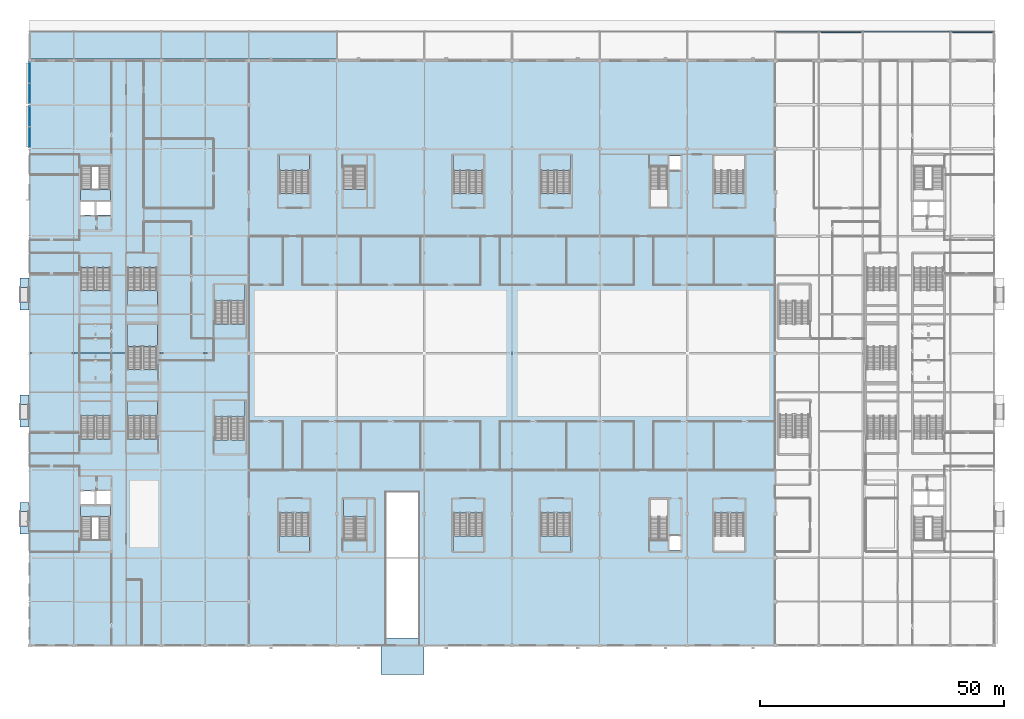
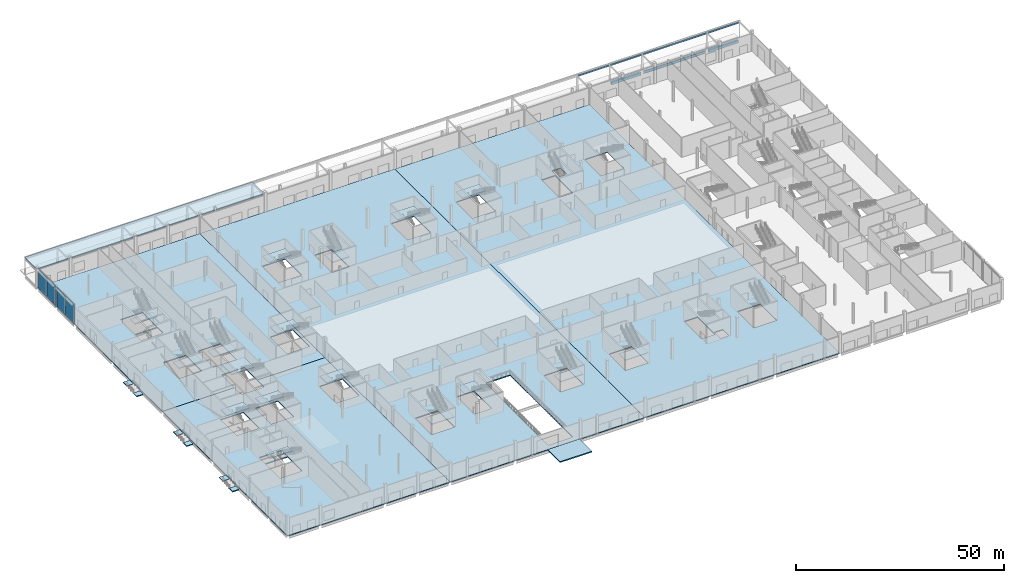
# One storey, part 27 of 84: 29 slabs, 7 beams, 4 plates, 22 elements without a shape of their own.
"""IFC4 building model written with IfcOpenShell, lengths in metres."""

from ifc_helpers import new_model, si_unit, direction, frame, origin, origin_2d, place, context, subcontext, project, spatial, polyline, rectangle, i_section, outline, extrude, material, layer, layer_set, material_profile, profile_set, type_object, element, aggregate, save


model = new_model("IFC4")

# Units and contexts
model_context = context("Model", 3, precision=1e-05, world=origin(), true_north=direction((0.0, 1.0)))
body_context = subcontext(model_context, "Body", "Model", "MODEL_VIEW")
ifc_project = project(units=[si_unit("LENGTHUNIT", "METRE"), si_unit("AREAUNIT", "SQUARE_METRE"), si_unit("VOLUMEUNIT", "CUBIC_METRE"), si_unit("PLANEANGLEUNIT", "RADIAN"), si_unit("MASSUNIT", "GRAM", prefix="KILO")], contexts=[model_context])

# Site, building, storey
site_placement = place(None, origin())
site = spatial("IfcSite", under=ifc_project, at=site_placement, CompositionType="ELEMENT")
building_placement = place(site_placement, origin())
building = spatial("IfcBuilding", under=site, at=building_placement, Name="Kisiwana Market Hall", CompositionType="ELEMENT")
storey_placement = place(building_placement, origin())
storey = spatial("IfcBuildingStorey", under=building, at=storey_placement, Name="L00", CompositionType="ELEMENT", Elevation=0.0)

# Beams
ifc_material_1 = material(Name="Steel S355", Category="steel")
ifc_material_profile_1 = material_profile(ifc_material_1, i_section(OverallWidth=0.19140625, OverallDepth=0.4599609375, WebThickness=0.010009765625, FlangeThickness=0.01611328125, at=origin_2d()), Name="UB 457x191x82")
ifc_profile_set_1 = profile_set([ifc_material_profile_1], Name="Steel S355")
beam_type_1 = type_object("IfcBeamType", Name="BM-GIRD-UB457H", PredefinedType="BEAM", material=ifc_profile_set_1)
for number, where, z_axis, x_axis, name in (
    (1, (153.157958984375, 126.0, 4.677978515625), (1.0, 0.0, 0.0), (0.0, 1.0, 0.0), "Roof girder B-0308"),
    (2, (162.157958984375, 126.0, 4.677978515625), (1.0, 0.0, 0.0), (0.0, 1.0, 0.0), "Roof girder B-0309"),
):
    element("IfcBeam", number, at=place(storey_placement, frame(where, z_axis=z_axis, x_axis=x_axis)), inside=storey, type_object=beam_type_1, Name=name, PredefinedType="BEAM", context=body_context, shape_type="SweptSolid", body=[
        extrude(i_section(OverallWidth=0.19140625, OverallDepth=0.4599609375, WebThickness=0.010009765625, FlangeThickness=0.01611328125, at=origin_2d()), origin(), (0.0, 0.0, 1.0), 8.68408203125),
    ])
beam_1_placement = place(storey_placement, frame((171.157958984375, 126.0, 4.677978515625), z_axis=(1.0, 0.0, 0.0), x_axis=(0.0, 1.0, 0.0)))
element("IfcBeam", 3, at=beam_1_placement, inside=storey, type_object=beam_type_1, Name="Roof girder B-0310", PredefinedType="BEAM", context=body_context, shape_type="SweptSolid", body=[
    extrude(i_section(OverallWidth=0.19140625, OverallDepth=0.4599609375, WebThickness=0.010009765625, FlangeThickness=0.01611328125, at=origin_2d()), origin(), (0.0, 0.0, 1.0), 17.68408203125),
])
beam_2_placement = place(storey_placement, frame((189.157958984375, 126.0, 4.677978515625), z_axis=(1.0, 0.0, 0.0), x_axis=(0.0, 1.0, 0.0)))
element("IfcBeam", 4, at=beam_2_placement, inside=storey, type_object=beam_type_1, Name="Roof girder B-0311", PredefinedType="BEAM", context=body_context, shape_type="SweptSolid", body=[
    extrude(i_section(OverallWidth=0.19140625, OverallDepth=0.4599609375, WebThickness=0.010009765625, FlangeThickness=0.01611328125, at=origin_2d()), origin(), (0.0, 0.0, 1.0), 8.68408203125),
])
ifc_material_2 = material(Name="Steel S355", Category="steel")
ifc_material_profile_2 = material_profile(ifc_material_2, i_section(OverallWidth=0.2666015625, OverallDepth=0.76220703125, WebThickness=0.014404296875, FlangeThickness=0.021484375, at=origin_2d()), Name="UB 762x267x173")
ifc_profile_set_2 = profile_set([ifc_material_profile_2], Name="Steel S355")
beam_type_2 = type_object("IfcBeamType", Name="BM-GIRD-UB762", PredefinedType="BEAM", material=ifc_profile_set_2)
beam_3_placement = place(storey_placement, frame((171.39599609375, 126.0, -0.68115234375), z_axis=(1.0, 0.0, 0.0), x_axis=(0.0, 1.0, 0.0)))
element("IfcBeam", 5, at=beam_3_placement, inside=storey, type_object=beam_type_2, Name="Floor beam B-0271", PredefinedType="BEAM", context=body_context, shape_type="SweptSolid", body=[
    extrude(i_section(OverallWidth=0.2666015625, OverallDepth=0.76220703125, WebThickness=0.014404296875, FlangeThickness=0.021484375, at=origin_2d()), origin(), (0.0, 0.0, 1.0), 17.2080078125),
])
ifc_material_3 = material(Name="Concrete C40/50", Category="concrete")
ifc_material_profile_3 = material_profile(ifc_material_3, rectangle(XDim=0.5, YDim=0.800048828125, at=origin_2d()), Name="RC 500x800")
ifc_profile_set_3 = profile_set([ifc_material_profile_3], Name="Concrete C40/50")
beam_type_3 = type_object("IfcBeamType", Name="BM-RC-B1-500x800", PredefinedType="BEAM", material=ifc_profile_set_3)
for number, where, z_axis, x_axis, name in (
    (6, (162.39599609375, 126.0, -0.699951171875), (1.0, 0.0, 0.0), (0.0, 1.0, 0.0), "Floor beam B-0270"),
    (7, (189.39599609375, 126.0, -0.699951171875), (1.0, 0.0, 0.0), (0.0, 1.0, 0.0), "Floor beam B-0272"),
):
    element("IfcBeam", number, at=place(storey_placement, frame(where, z_axis=z_axis, x_axis=x_axis)), inside=storey, type_object=beam_type_3, Name=name, PredefinedType="BEAM", context=body_context, shape_type="SweptSolid", body=[
        extrude(rectangle(XDim=0.5, YDim=0.800048828125, at=origin_2d()), origin(), (0.0, 0.0, 1.0), 8.2080078125),
    ])

# Curtain wall, plates
ifc_material_4 = material(Name="Double-glazed solar-control low-E IGU", Category="glass")
ifc_layer_1 = layer(ifc_material_4, 0.159912109375)
ifc_layer_set_1 = layer_set([ifc_layer_1], Name="CW-FOY-W-6800")
curtain_wall_type = type_object("IfcCurtainWallType", Name="CW-FOY-W-6800", PredefinedType="USERDEFINED", material=ifc_layer_set_1)
curtain_wall_1_placement = place(storey_placement, origin())
curtain_wall_1 = element("IfcCurtainWall", 8, at=curtain_wall_1_placement, inside=storey, type_object=curtain_wall_type, Name="Unitised curtain wall CW-001 (L00)", ObjectType="UNITISED CURTAIN WALL", PredefinedType="USERDEFINED")
ifc_material_5 = material(Name="Double-glazed solar-control low-E IGU", Category="glass")
ifc_layer_2 = layer(ifc_material_5, 0.02392578125)
ifc_layer_set_2 = layer_set([ifc_layer_2], Name="PL-IGU-24")
plate_type_1 = type_object("IfcPlateType", Name="PL-IGU-24", PredefinedType="CURTAIN_PANEL", material=ifc_layer_set_2)
plate_1_placement = place(storey_placement, frame((0.0, 104.37744140625, 0.06005859375), z_axis=(0.0, 0.0, 1.0), x_axis=(0.0, 1.0, 0.0)))
plate_1 = element("IfcPlate", 9, at=plate_1_placement, type_object=plate_type_1, Name="CW-001 panel 1.1", PredefinedType="CURTAIN_PANEL", context=body_context, shape_type="SweptSolid", body=[
    extrude(rectangle(XDim=4.19970703125, YDim=0.02392578125, at=origin_2d()), origin(), (0.0, 0.0, 1.0), 5.6298828125),
])
plate_2_placement = place(storey_placement, frame((0.0, 108.636962890625, 0.06005859375), z_axis=(0.0, 0.0, 1.0), x_axis=(0.0, 1.0, 0.0)))
plate_2 = element("IfcPlate", 10, at=plate_2_placement, type_object=plate_type_1, Name="CW-001 panel 2.1", PredefinedType="CURTAIN_PANEL", context=body_context, shape_type="SweptSolid", body=[
    extrude(rectangle(XDim=4.19970703125, YDim=0.02392578125, at=origin_2d()), origin(), (0.0, 0.0, 1.0), 5.6298828125),
])
aggregate(curtain_wall_1, [plate_1, plate_2])

curtain_wall_2_placement = place(storey_placement, origin())
curtain_wall_2 = element("IfcCurtainWall", 11, at=curtain_wall_2_placement, inside=storey, type_object=curtain_wall_type, Name="Unitised curtain wall CW-002 (L00)", ObjectType="UNITISED CURTAIN WALL", PredefinedType="USERDEFINED")
ifc_material_6 = material(Name="Double-glazed acoustic laminated IGU", Category="glass")
ifc_layer_3 = layer(ifc_material_6, 0.028076171875)
ifc_layer_set_3 = layer_set([ifc_layer_3], Name="PL-IGU-28")
plate_type_2 = type_object("IfcPlateType", Name="PL-IGU-28", PredefinedType="CURTAIN_PANEL", material=ifc_layer_set_3)
plate_3_placement = place(storey_placement, frame((0.0, 113.329833984375, 0.06005859375), z_axis=(0.0, 0.0, 1.0), x_axis=(0.0, 1.0, 0.0)))
plate_3 = element("IfcPlate", 12, at=plate_3_placement, type_object=plate_type_2, Name="CW-002 panel 1.1", PredefinedType="CURTAIN_PANEL", context=body_context, shape_type="SweptSolid", body=[
    extrude(rectangle(XDim=4.13330078125, YDim=0.028076171875, at=origin_2d()), origin(), (0.0, 0.0, 1.0), 5.6298828125),
])
plate_4_placement = place(storey_placement, frame((0.0, 117.523193359375, 0.06005859375), z_axis=(0.0, 0.0, 1.0), x_axis=(0.0, 1.0, 0.0)))
plate_4 = element("IfcPlate", 13, at=plate_4_placement, type_object=plate_type_2, Name="CW-002 panel 2.1", PredefinedType="CURTAIN_PANEL", context=body_context, shape_type="SweptSolid", body=[
    extrude(rectangle(XDim=4.13330078125, YDim=0.028076171875, at=origin_2d()), origin(), (0.0, 0.0, 1.0), 5.6298828125),
])
aggregate(curtain_wall_2, [plate_3, plate_4])

# Slabs
ifc_material_7 = material(Name="Concrete C32/40", Category="concrete")
ifc_layer_4 = layer(ifc_material_7, 0.260009765625)
ifc_layer_set_4 = layer_set([ifc_layer_4], Name="SL-L00-MKT-260")
slab_type_1 = type_object("IfcSlabType", Name="SL-L00-MKT-260", PredefinedType="FLOOR", material=ifc_layer_set_4)
slab_1_placement = place(storey_placement, frame((0.0, 0.0, -0.260009765625)))
element("IfcSlab", 14, at=slab_1_placement, inside=storey, type_object=slab_type_1, Name="Structural slab S-054", PredefinedType="FLOOR", context=body_context, shape_type="SweptSolid", body=[
    extrude(outline(polyline([(0.0, 0.0), (45.0, 0.0), (45.0, 60.0), (26.239990234375, 60.0), (26.239990234375, 56.659912109375), (19.9599609375, 56.659912109375), (19.9599609375, 60.0), (0.0, 60.0), (0.0, 0.0)]), holes=[polyline([(10.425048828125, 21.675048828125), (16.574951171875, 21.675048828125), (16.574951171875, 28.625), (10.425048828125, 28.625), (10.425048828125, 21.675048828125)]), polyline([(10.425048828125, 28.945068359375), (13.340087890625, 28.945068359375), (13.340087890625, 31.675048828125), (10.425048828125, 31.675048828125), (10.425048828125, 28.945068359375)]), polyline([(13.659912109375, 28.945068359375), (16.574951171875, 28.945068359375), (16.574951171875, 31.675048828125), (13.659912109375, 31.675048828125), (13.659912109375, 28.945068359375)]), polyline([(10.360107421875, 42.3798828125), (16.639892578125, 42.3798828125), (16.639892578125, 50.0400390625), (10.360107421875, 50.0400390625), (10.360107421875, 42.3798828125)]), polyline([(19.9599609375, 42.3798828125), (26.239990234375, 42.3798828125), (26.239990234375, 50.0400390625), (19.9599609375, 50.0400390625), (19.9599609375, 42.3798828125)]), polyline([(37.929931640625, 42.179931640625), (44.2099609375, 42.179931640625), (44.2099609375, 50.239990234375), (37.929931640625, 50.239990234375), (37.929931640625, 42.179931640625)])]), origin(), (0.0, 0.0, 1.0), 0.260009765625),
])
slab_2_placement = place(storey_placement, frame((0.0, 0.0, -0.260009765625)))
element("IfcSlab", 15, at=slab_2_placement, inside=storey, type_object=slab_type_1, Name="Structural slab S-055", PredefinedType="FLOOR", context=body_context, shape_type="SweptSolid", body=[
    extrude(outline(polyline([(0.0, 60.0), (19.9599609375, 60.0), (19.9599609375, 66.159912109375), (26.239990234375, 66.159912109375), (26.239990234375, 60.0), (45.0, 60.0), (45.0, 120.0), (0.0, 120.0), (0.0, 60.0)]), holes=[polyline([(10.425048828125, 91.375), (16.574951171875, 91.375), (16.574951171875, 98.324951171875), (10.425048828125, 98.324951171875), (10.425048828125, 91.375)]), polyline([(10.425048828125, 88.324951171875), (13.340087890625, 88.324951171875), (13.340087890625, 91.054931640625), (10.425048828125, 91.054931640625), (10.425048828125, 88.324951171875)]), polyline([(13.659912109375, 88.324951171875), (16.574951171875, 88.324951171875), (16.574951171875, 91.054931640625), (13.659912109375, 91.054931640625), (13.659912109375, 88.324951171875)]), polyline([(10.360107421875, 69.9599609375), (16.639892578125, 69.9599609375), (16.639892578125, 77.6201171875), (10.360107421875, 77.6201171875), (10.360107421875, 69.9599609375)]), polyline([(19.9599609375, 69.9599609375), (26.239990234375, 69.9599609375), (26.239990234375, 77.6201171875), (19.9599609375, 77.6201171875), (19.9599609375, 69.9599609375)]), polyline([(37.929931640625, 65.97998046875), (44.2099609375, 65.97998046875), (44.2099609375, 74.0400390625), (37.929931640625, 74.0400390625), (37.929931640625, 65.97998046875)])]), origin(), (0.0, 0.0, 1.0), 0.260009765625),
])
slab_3_placement = place(storey_placement, frame((0.0, 0.0, -0.260009765625)))
element("IfcSlab", 16, at=slab_3_placement, inside=storey, type_object=slab_type_1, Name="Structural slab S-056", PredefinedType="FLOOR", context=body_context, shape_type="SweptSolid", body=[
    extrude(outline(polyline([(45.0, 0.0), (99.0, 0.0), (99.0, 120.0), (45.0, 120.0), (45.0, 0.0)]), holes=[polyline([(64.3798828125, 21.6298828125), (69.080078125, 21.6298828125), (69.080078125, 30.02001953125), (64.3798828125, 30.02001953125), (64.3798828125, 21.6298828125)]), polyline([(64.360107421875, 89.9599609375), (69.06005859375, 89.9599609375), (69.06005859375, 98.389892578125), (64.360107421875, 98.389892578125), (64.360107421875, 89.9599609375)]), polyline([(51.159912109375, 19.360107421875), (57.43994140625, 19.360107421875), (57.43994140625, 27.219970703125), (51.159912109375, 27.219970703125), (51.159912109375, 19.360107421875)]), polyline([(51.159912109375, 92.780029296875), (57.43994140625, 92.780029296875), (57.43994140625, 100.639892578125), (51.159912109375, 100.639892578125), (51.159912109375, 92.780029296875)]), polyline([(86.860107421875, 19.360107421875), (93.139892578125, 19.360107421875), (93.139892578125, 27.219970703125), (86.860107421875, 27.219970703125), (86.860107421875, 19.360107421875)]), polyline([(86.860107421875, 92.780029296875), (93.139892578125, 92.780029296875), (93.139892578125, 100.639892578125), (86.860107421875, 100.639892578125), (86.860107421875, 92.780029296875)]), polyline([(73.10009765625, 1.5), (79.89990234375, 1.5), (79.89990234375, 31.5), (73.10009765625, 31.5), (73.10009765625, 1.5)])]), origin(), (0.0, 0.0, 1.0), 0.260009765625),
])
slab_4_placement = place(storey_placement, frame((0.0, 0.0, -0.260009765625)))
element("IfcSlab", 17, at=slab_4_placement, inside=storey, type_object=slab_type_1, Name="Structural slab S-057", PredefinedType="FLOOR", context=body_context, shape_type="SweptSolid", body=[
    extrude(outline(polyline([(99.0, 0.0), (153.0, 0.0), (153.0, 120.0), (99.0, 120.0), (99.0, 0.0)]), holes=[polyline([(127.3798828125, 21.6298828125), (130.97998046875, 21.6298828125), (130.97998046875, 30.02001953125), (127.3798828125, 30.02001953125), (127.3798828125, 21.6298828125)]), polyline([(131.300048828125, 19.580078125), (133.6201171875, 19.580078125), (133.6201171875, 22.47998046875), (131.300048828125, 22.47998046875), (131.300048828125, 19.580078125)]), polyline([(127.360107421875, 89.9599609375), (130.9599609375, 89.9599609375), (130.9599609375, 98.389892578125), (127.360107421875, 98.389892578125), (127.360107421875, 89.9599609375)]), polyline([(131.280029296875, 97.5400390625), (133.639892578125, 97.5400390625), (133.639892578125, 100.43994140625), (131.280029296875, 100.43994140625), (131.280029296875, 97.5400390625)]), polyline([(104.860107421875, 19.360107421875), (111.139892578125, 19.360107421875), (111.139892578125, 27.219970703125), (104.860107421875, 27.219970703125), (104.860107421875, 19.360107421875)]), polyline([(104.860107421875, 92.780029296875), (111.139892578125, 92.780029296875), (111.139892578125, 100.639892578125), (104.860107421875, 100.639892578125), (104.860107421875, 92.780029296875)]), polyline([(140.4599609375, 19.360107421875), (146.739990234375, 19.360107421875), (146.739990234375, 27.219970703125), (140.4599609375, 27.219970703125), (140.4599609375, 19.360107421875)]), polyline([(140.4599609375, 92.780029296875), (146.739990234375, 92.780029296875), (146.739990234375, 100.639892578125), (140.4599609375, 100.639892578125), (140.4599609375, 92.780029296875)])]), origin(), (0.0, 0.0, 1.0), 0.260009765625),
])
ifc_material_8 = material(Name="Concrete C32/40", Category="concrete")
ifc_layer_5 = layer(ifc_material_8, 0.300048828125)
ifc_layer_set_5 = layer_set([ifc_layer_5], Name="SL-L00-SYD-300")
slab_type_2 = type_object("IfcSlabType", Name="SL-L00-SYD-300", PredefinedType="FLOOR", material=ifc_layer_set_5)
slab_5_placement = place(storey_placement, frame((0.0, 0.0, -0.300048828125)))
element("IfcSlab", 18, at=slab_5_placement, inside=storey, type_object=slab_type_2, Name="South Avenue Exterior Vehicle Driveway Paving Apron S-053", PredefinedType="BASESLAB", context=body_context, shape_type="SweptSolid", body=[
    extrude(outline(polyline([(72.10009765625, -5.949951171875), (80.89990234375, -5.949951171875), (80.89990234375, 0.0), (72.10009765625, 0.0), (72.10009765625, -5.949951171875)])), origin(), (0.0, 0.0, 1.0), 0.300048828125),
])

# Ramp, slabs
ifc_material_9 = material(Name="Concrete C32/40", Category="concrete")
ramp_type = type_object("IfcRampType", Name="RMP-PED-12", PredefinedType="STRAIGHT_RUN_RAMP", material=ifc_material_9)
ramp_1_placement = place(storey_placement, origin())
ramp_1 = element("IfcRamp", 19, at=ramp_1_placement, inside=storey, type_object=ramp_type, Name="West Market South Ramp", PredefinedType="STRAIGHT_RUN_RAMP")
ifc_material_10 = material(Name="Concrete C32/40", Category="concrete")
ifc_layer_6 = layer(ifc_material_10, 0.239990234375)
ifc_layer_set_6 = layer_set([ifc_layer_6], Name="SL-LANDING-160")
slab_type_3 = type_object("IfcSlabType", Name="SL-LANDING-160", PredefinedType="LANDING", material=ifc_layer_set_6)
slab_6_placement = place(storey_placement, frame((0.0, 0.0, -0.5)))
slab_6 = element("IfcSlab", 20, at=slab_6_placement, type_object=slab_type_3, Name="West Market South Ramp lower landing S-046", PredefinedType="LANDING", context=body_context, shape_type="SweptSolid", body=[
    extrude(outline(polyline([(-2.0, 22.89990234375), (-0.199951171875, 22.89990234375), (-0.199951171875, 24.5), (-2.0, 24.5), (-2.0, 22.89990234375)])), origin(), (0.0, 0.0, 1.0), 0.25),
])
slab_7_placement = place(storey_placement, frame((0.0, 0.0, -0.25)))
slab_7 = element("IfcSlab", 21, at=slab_7_placement, type_object=slab_type_3, Name="West Market South Ramp upper landing S-047", PredefinedType="LANDING", context=body_context, shape_type="SweptSolid", body=[
    extrude(outline(polyline([(-2.0, 27.5), (-0.199951171875, 27.5), (-0.199951171875, 29.39990234375), (-2.0, 29.39990234375), (-2.0, 27.5)])), origin(), (0.0, 0.0, 1.0), 0.25),
])
aggregate(ramp_1, [slab_6, slab_7])

ramp_2_placement = place(storey_placement, origin())
ramp_2 = element("IfcRamp", 22, at=ramp_2_placement, inside=storey, type_object=ramp_type, Name="West Market Central Ramp", PredefinedType="STRAIGHT_RUN_RAMP")
slab_8_placement = place(storey_placement, frame((0.0, 0.0, -0.5)))
slab_8 = element("IfcSlab", 23, at=slab_8_placement, type_object=slab_type_3, Name="West Market Central Ramp lower landing S-048", PredefinedType="LANDING", context=body_context, shape_type="SweptSolid", body=[
    extrude(outline(polyline([(-2.0, 44.89990234375), (-0.199951171875, 44.89990234375), (-0.199951171875, 46.5), (-2.0, 46.5), (-2.0, 44.89990234375)])), origin(), (0.0, 0.0, 1.0), 0.25),
])
slab_9_placement = place(storey_placement, frame((0.0, 0.0, -0.25)))
slab_9 = element("IfcSlab", 24, at=slab_9_placement, type_object=slab_type_3, Name="West Market Central Ramp upper landing S-049", PredefinedType="LANDING", context=body_context, shape_type="SweptSolid", body=[
    extrude(outline(polyline([(-2.0, 49.5), (-0.199951171875, 49.5), (-0.199951171875, 51.39990234375), (-2.0, 51.39990234375), (-2.0, 49.5)])), origin(), (0.0, 0.0, 1.0), 0.25),
])
aggregate(ramp_2, [slab_8, slab_9])

ramp_3_placement = place(storey_placement, origin())
ramp_3 = element("IfcRamp", 25, at=ramp_3_placement, inside=storey, type_object=ramp_type, Name="West Market North Ramp", PredefinedType="STRAIGHT_RUN_RAMP")
slab_10_placement = place(storey_placement, frame((0.0, 0.0, -0.5)))
slab_10 = element("IfcSlab", 26, at=slab_10_placement, type_object=slab_type_3, Name="West Market North Ramp lower landing S-050", PredefinedType="LANDING", context=body_context, shape_type="SweptSolid", body=[
    extrude(outline(polyline([(-2.0, 68.89990234375), (-0.199951171875, 68.89990234375), (-0.199951171875, 70.5), (-2.0, 70.5), (-2.0, 68.89990234375)])), origin(), (0.0, 0.0, 1.0), 0.25),
])
slab_11_placement = place(storey_placement, frame((0.0, 0.0, -0.25)))
slab_11 = element("IfcSlab", 27, at=slab_11_placement, type_object=slab_type_3, Name="West Market North Ramp upper landing S-051", PredefinedType="LANDING", context=body_context, shape_type="SweptSolid", body=[
    extrude(outline(polyline([(-2.0, 73.5), (-0.199951171875, 73.5), (-0.199951171875, 75.39990234375), (-2.0, 75.39990234375), (-2.0, 73.5)])), origin(), (0.0, 0.0, 1.0), 0.25),
])
aggregate(ramp_3, [slab_10, slab_11])

# Stair, slab
ifc_material_11 = material(Name="Concrete C32/40", Category="concrete")
stair_type_1 = type_object("IfcStairType", Name="ST-POD-6000", PredefinedType="TWO_STRAIGHT_RUN_STAIR", material=ifc_material_11)
stair_1_placement = place(storey_placement, origin())
stair_1 = element("IfcStair", 28, at=stair_1_placement, inside=storey, type_object=stair_type_1, Name="Escape stair ST-W2-L00", PredefinedType="TWO_STRAIGHT_RUN_STAIR")
slab_12_placement = place(storey_placement, frame((0.0, 0.0, 2.760009765625)))
slab_12 = element("IfcSlab", 29, at=slab_12_placement, type_object=slab_type_3, Name="ST-W2-L00 landing 1 S-083", PredefinedType="LANDING", context=body_context, shape_type="SweptSolid", body=[
    extrude(outline(polyline([(10.405029296875, 26.43408203125), (16.594970703125, 26.43408203125), (16.594970703125, 28.64501953125), (10.405029296875, 28.64501953125), (10.405029296875, 26.43408203125)])), origin(), (0.0, 0.0, 1.0), 0.239990234375),
])
aggregate(stair_1, [slab_12])

stair_2_placement = place(storey_placement, origin())
stair_2 = element("IfcStair", 30, at=stair_2_placement, inside=storey, type_object=stair_type_1, Name="Escape stair ST-W1-L00", PredefinedType="TWO_STRAIGHT_RUN_STAIR")
slab_13_placement = place(storey_placement, frame((0.0, 0.0, 2.760009765625)))
slab_13 = element("IfcSlab", 31, at=slab_13_placement, type_object=slab_type_3, Name="ST-W1-L00 landing 1 S-081", PredefinedType="LANDING", context=body_context, shape_type="SweptSolid", body=[
    extrude(outline(polyline([(10.405029296875, 91.35498046875), (16.594970703125, 91.35498046875), (16.594970703125, 93.56591796875), (10.405029296875, 93.56591796875), (10.405029296875, 91.35498046875)])), origin(), (0.0, 0.0, 1.0), 0.239990234375),
])
aggregate(stair_2, [slab_13])

stair_3_placement = place(storey_placement, origin())
stair_3 = element("IfcStair", 32, at=stair_3_placement, inside=storey, type_object=stair_type_1, Name="Escape stair ST-S1-L00", PredefinedType="TWO_STRAIGHT_RUN_STAIR")
slab_14_placement = place(storey_placement, frame((0.0, 0.0, 2.760009765625)))
slab_14 = element("IfcSlab", 33, at=slab_14_placement, type_object=slab_type_3, Name="ST-S1-L00 landing 1 S-075", PredefinedType="LANDING", context=body_context, shape_type="SweptSolid", body=[
    extrude(outline(polyline([(64.360107421875, 26.388916015625), (69.10009765625, 26.388916015625), (69.10009765625, 30.0400390625), (64.360107421875, 30.0400390625), (64.360107421875, 26.388916015625)])), origin(), (0.0, 0.0, 1.0), 0.239990234375),
])
aggregate(stair_3, [slab_14])

stair_4_placement = place(storey_placement, origin())
stair_4 = element("IfcStair", 34, at=stair_4_placement, inside=storey, type_object=stair_type_1, Name="Escape stair ST-N1-L00", PredefinedType="TWO_STRAIGHT_RUN_STAIR")
slab_15_placement = place(storey_placement, frame((0.0, 0.0, 2.760009765625)))
slab_15 = element("IfcSlab", 35, at=slab_15_placement, type_object=slab_type_3, Name="ST-N1-L00 landing 1 S-069", PredefinedType="LANDING", context=body_context, shape_type="SweptSolid", body=[
    extrude(outline(polyline([(64.340087890625, 89.93994140625), (69.080078125, 89.93994140625), (69.080078125, 93.631103515625), (64.340087890625, 93.631103515625), (64.340087890625, 89.93994140625)])), origin(), (0.0, 0.0, 1.0), 0.239990234375),
])
aggregate(stair_4, [slab_15])

ifc_material_12 = material(Name="Concrete C32/40", Category="concrete")
stair_type_2 = type_object("IfcStairType", Name="ST-ESC-6000", PredefinedType="TWO_STRAIGHT_RUN_STAIR", material=ifc_material_12)
stair_5_placement = place(storey_placement, origin())
stair_5 = element("IfcStair", 36, at=stair_5_placement, inside=storey, type_object=stair_type_2, Name="Escape stair ST-W3-L00", PredefinedType="TWO_STRAIGHT_RUN_STAIR")
slab_16_placement = place(storey_placement, frame((0.0, 0.0, 2.760009765625)))
slab_16 = element("IfcSlab", 37, at=slab_16_placement, type_object=slab_type_3, Name="ST-W3-L00 landing 1 S-084", PredefinedType="LANDING", context=body_context, shape_type="SweptSolid", body=[
    extrude(outline(polyline([(10.340087890625, 47.119384765625), (16.659912109375, 47.119384765625), (16.659912109375, 50.06005859375), (10.340087890625, 50.06005859375), (10.340087890625, 47.119384765625)])), origin(), (0.0, 0.0, 1.0), 0.239990234375),
])
aggregate(stair_5, [slab_16])

stair_6_placement = place(storey_placement, origin())
stair_6 = element("IfcStair", 38, at=stair_6_placement, inside=storey, type_object=stair_type_2, Name="Escape stair ST-W4-L00", PredefinedType="TWO_STRAIGHT_RUN_STAIR")
slab_17_placement = place(storey_placement, frame((0.0, 0.0, 2.760009765625)))
slab_17 = element("IfcSlab", 39, at=slab_17_placement, type_object=slab_type_3, Name="ST-W4-L00 landing 1 S-085", PredefinedType="LANDING", context=body_context, shape_type="SweptSolid", body=[
    extrude(outline(polyline([(10.340087890625, 69.93994140625), (16.659912109375, 69.93994140625), (16.659912109375, 72.880615234375), (10.340087890625, 72.880615234375), (10.340087890625, 69.93994140625)])), origin(), (0.0, 0.0, 1.0), 0.239990234375),
])
aggregate(stair_6, [slab_17])

stair_7_placement = place(storey_placement, origin())
stair_7 = element("IfcStair", 40, at=stair_7_placement, inside=storey, type_object=stair_type_2, Name="Escape stair ST-W7-L00", PredefinedType="TWO_STRAIGHT_RUN_STAIR")
slab_18_placement = place(storey_placement, frame((0.0, 0.0, 2.760009765625)))
slab_18 = element("IfcSlab", 41, at=slab_18_placement, type_object=slab_type_3, Name="ST-W7-L00 landing 1 S-087", PredefinedType="LANDING", context=body_context, shape_type="SweptSolid", body=[
    extrude(outline(polyline([(19.93994140625, 47.119384765625), (26.260009765625, 47.119384765625), (26.260009765625, 50.06005859375), (19.93994140625, 50.06005859375), (19.93994140625, 47.119384765625)])), origin(), (0.0, 0.0, 1.0), 0.239990234375),
])
aggregate(stair_7, [slab_18])

stair_8_placement = place(storey_placement, origin())
stair_8 = element("IfcStair", 42, at=stair_8_placement, inside=storey, type_object=stair_type_2, Name="Escape stair ST-W8-L00", PredefinedType="TWO_STRAIGHT_RUN_STAIR")
slab_19_placement = place(storey_placement, frame((0.0, 0.0, 2.760009765625)))
slab_19 = element("IfcSlab", 43, at=slab_19_placement, type_object=slab_type_3, Name="ST-W8-L00 landing 1 S-088", PredefinedType="LANDING", context=body_context, shape_type="SweptSolid", body=[
    extrude(outline(polyline([(19.93994140625, 69.93994140625), (26.260009765625, 69.93994140625), (26.260009765625, 72.880615234375), (19.93994140625, 72.880615234375), (19.93994140625, 69.93994140625)])), origin(), (0.0, 0.0, 1.0), 0.239990234375),
])
aggregate(stair_8, [slab_19])

stair_9_placement = place(storey_placement, origin())
stair_9 = element("IfcStair", 44, at=stair_9_placement, inside=storey, type_object=stair_type_2, Name="Escape stair ST-W9-L00", PredefinedType="TWO_STRAIGHT_RUN_STAIR")
slab_20_placement = place(storey_placement, frame((0.0, 0.0, 2.760009765625)))
slab_20 = element("IfcSlab", 45, at=slab_20_placement, type_object=slab_type_3, Name="ST-W9-L00 landing 1 S-089", PredefinedType="LANDING", context=body_context, shape_type="SweptSolid", body=[
    extrude(outline(polyline([(37.909912109375, 46.91943359375), (44.22998046875, 46.91943359375), (44.22998046875, 50.260009765625), (37.909912109375, 50.260009765625), (37.909912109375, 46.91943359375)])), origin(), (0.0, 0.0, 1.0), 0.239990234375),
])
aggregate(stair_9, [slab_20])

stair_10_placement = place(storey_placement, origin())
stair_10 = element("IfcStair", 46, at=stair_10_placement, inside=storey, type_object=stair_type_2, Name="Escape stair ST-W10-L00", PredefinedType="TWO_STRAIGHT_RUN_STAIR")
slab_21_placement = place(storey_placement, frame((0.0, 0.0, 2.760009765625)))
slab_21 = element("IfcSlab", 47, at=slab_21_placement, type_object=slab_type_3, Name="ST-W10-L00 landing 1 S-082", PredefinedType="LANDING", context=body_context, shape_type="SweptSolid", body=[
    extrude(outline(polyline([(37.909912109375, 70.719482421875), (44.22998046875, 70.719482421875), (44.22998046875, 74.06005859375), (37.909912109375, 74.06005859375), (37.909912109375, 70.719482421875)])), origin(), (0.0, 0.0, 1.0), 0.239990234375),
])
aggregate(stair_10, [slab_21])

stair_11_placement = place(storey_placement, origin())
stair_11 = element("IfcStair", 48, at=stair_11_placement, inside=storey, type_object=stair_type_2, Name="Escape stair ST-W5-L00", PredefinedType="TWO_STRAIGHT_RUN_STAIR")
slab_22_placement = place(storey_placement, frame((0.0, 0.0, 2.760009765625)))
slab_22 = element("IfcSlab", 49, at=slab_22_placement, type_object=slab_type_3, Name="ST-W5-L00 landing 1 S-086", PredefinedType="LANDING", context=body_context, shape_type="SweptSolid", body=[
    extrude(outline(polyline([(19.93994140625, 61.3994140625), (26.260009765625, 61.3994140625), (26.260009765625, 66.179931640625), (19.93994140625, 66.179931640625), (19.93994140625, 61.3994140625)])), origin(), (0.0, 0.0, 1.0), 0.239990234375),
])
aggregate(stair_11, [slab_22])

stair_12_placement = place(storey_placement, origin())
stair_12 = element("IfcStair", 50, at=stair_12_placement, inside=storey, type_object=stair_type_2, Name="Escape stair ST-S3-L00", PredefinedType="TWO_STRAIGHT_RUN_STAIR")
slab_23_placement = place(storey_placement, frame((0.0, 0.0, 2.760009765625)))
slab_23 = element("IfcSlab", 51, at=slab_23_placement, type_object=slab_type_3, Name="ST-S3-L00 landing 1 S-077", PredefinedType="LANDING", context=body_context, shape_type="SweptSolid", body=[
    extrude(outline(polyline([(51.139892578125, 19.340087890625), (57.4599609375, 19.340087890625), (57.4599609375, 22.48046875), (51.139892578125, 22.48046875), (51.139892578125, 19.340087890625)])), origin(), (0.0, 0.0, 1.0), 0.239990234375),
])
aggregate(stair_12, [slab_23])

stair_13_placement = place(storey_placement, origin())
stair_13 = element("IfcStair", 52, at=stair_13_placement, inside=storey, type_object=stair_type_2, Name="Escape stair ST-N3-L00", PredefinedType="TWO_STRAIGHT_RUN_STAIR")
slab_24_placement = place(storey_placement, frame((0.0, 0.0, 2.760009765625)))
slab_24 = element("IfcSlab", 53, at=slab_24_placement, type_object=slab_type_3, Name="ST-N3-L00 landing 1 S-071", PredefinedType="LANDING", context=body_context, shape_type="SweptSolid", body=[
    extrude(outline(polyline([(51.139892578125, 97.51953125), (57.4599609375, 97.51953125), (57.4599609375, 100.659912109375), (51.139892578125, 100.659912109375), (51.139892578125, 97.51953125)])), origin(), (0.0, 0.0, 1.0), 0.239990234375),
])
aggregate(stair_13, [slab_24])

stair_14_placement = place(storey_placement, origin())
stair_14 = element("IfcStair", 54, at=stair_14_placement, inside=storey, type_object=stair_type_2, Name="Escape stair ST-S4-L00", PredefinedType="TWO_STRAIGHT_RUN_STAIR")
slab_25_placement = place(storey_placement, frame((0.0, 0.0, 2.760009765625)))
slab_25 = element("IfcSlab", 55, at=slab_25_placement, type_object=slab_type_3, Name="ST-S4-L00 landing 1 S-078", PredefinedType="LANDING", context=body_context, shape_type="SweptSolid", body=[
    extrude(outline(polyline([(86.840087890625, 19.340087890625), (93.159912109375, 19.340087890625), (93.159912109375, 22.48046875), (86.840087890625, 22.48046875), (86.840087890625, 19.340087890625)])), origin(), (0.0, 0.0, 1.0), 0.239990234375),
])
aggregate(stair_14, [slab_25])

stair_15_placement = place(storey_placement, origin())
stair_15 = element("IfcStair", 56, at=stair_15_placement, inside=storey, type_object=stair_type_2, Name="Escape stair ST-N4-L00", PredefinedType="TWO_STRAIGHT_RUN_STAIR")
slab_26_placement = place(storey_placement, frame((0.0, 0.0, 2.760009765625)))
slab_26 = element("IfcSlab", 57, at=slab_26_placement, type_object=slab_type_3, Name="ST-N4-L00 landing 1 S-072", PredefinedType="LANDING", context=body_context, shape_type="SweptSolid", body=[
    extrude(outline(polyline([(86.840087890625, 97.51953125), (93.159912109375, 97.51953125), (93.159912109375, 100.659912109375), (86.840087890625, 100.659912109375), (86.840087890625, 97.51953125)])), origin(), (0.0, 0.0, 1.0), 0.239990234375),
])
aggregate(stair_15, [slab_26])

stair_16_placement = place(storey_placement, origin())
stair_16 = element("IfcStair", 58, at=stair_16_placement, inside=storey, type_object=stair_type_2, Name="Escape stair ST-S5-L00", PredefinedType="TWO_STRAIGHT_RUN_STAIR")
slab_27_placement = place(storey_placement, frame((0.0, 0.0, 2.760009765625)))
slab_27 = element("IfcSlab", 59, at=slab_27_placement, type_object=slab_type_3, Name="ST-S5-L00 landing 1 S-079", PredefinedType="LANDING", context=body_context, shape_type="SweptSolid", body=[
    extrude(outline(polyline([(104.840087890625, 19.340087890625), (111.159912109375, 19.340087890625), (111.159912109375, 22.48046875), (104.840087890625, 22.48046875), (104.840087890625, 19.340087890625)])), origin(), (0.0, 0.0, 1.0), 0.239990234375),
])
aggregate(stair_16, [slab_27])

stair_17_placement = place(storey_placement, origin())
stair_17 = element("IfcStair", 60, at=stair_17_placement, inside=storey, type_object=stair_type_2, Name="Escape stair ST-N5-L00", PredefinedType="TWO_STRAIGHT_RUN_STAIR")
slab_28_placement = place(storey_placement, frame((0.0, 0.0, 2.760009765625)))
slab_28 = element("IfcSlab", 61, at=slab_28_placement, type_object=slab_type_3, Name="ST-N5-L00 landing 1 S-073", PredefinedType="LANDING", context=body_context, shape_type="SweptSolid", body=[
    extrude(outline(polyline([(104.840087890625, 97.51953125), (111.159912109375, 97.51953125), (111.159912109375, 100.659912109375), (104.840087890625, 100.659912109375), (104.840087890625, 97.51953125)])), origin(), (0.0, 0.0, 1.0), 0.239990234375),
])
aggregate(stair_17, [slab_28])

# Slab
ifc_material_13 = material(Name="Concrete C32/40", Category="concrete")
ifc_layer_7 = layer(ifc_material_13, 0.2919921875)
ifc_layer_set_7 = layer_set([ifc_layer_7], Name="SL-POD-ROOF-210")
slab_type_4 = type_object("IfcSlabType", Name="SL-POD-ROOF-210", PredefinedType="ROOF", material=ifc_layer_set_7)
slab_29_placement = place(storey_placement, frame((0.0, 0.0, 4.907958984375)))
element("IfcSlab", 62, at=slab_29_placement, inside=storey, type_object=slab_type_4, Name="North Avenue colonnade canopy slab 1 S-037", PredefinedType="ROOF", context=body_context, shape_type="SweptSolid", body=[
    extrude(outline(polyline([(0.0, 120.35009765625), (63.0, 120.35009765625), (63.0, 126.0), (0.0, 126.0), (0.0, 120.35009765625)])), origin(), (0.0, 0.0, 1.0), 0.2919921875),
])

save(model, "model.ifc")
